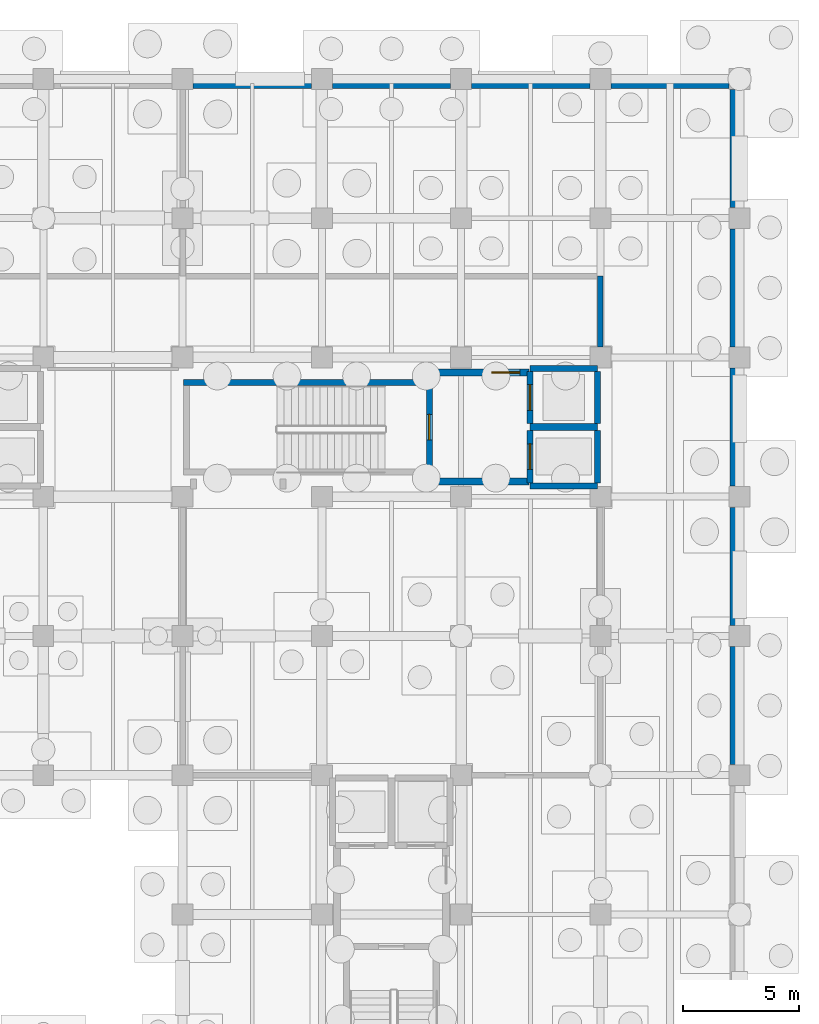
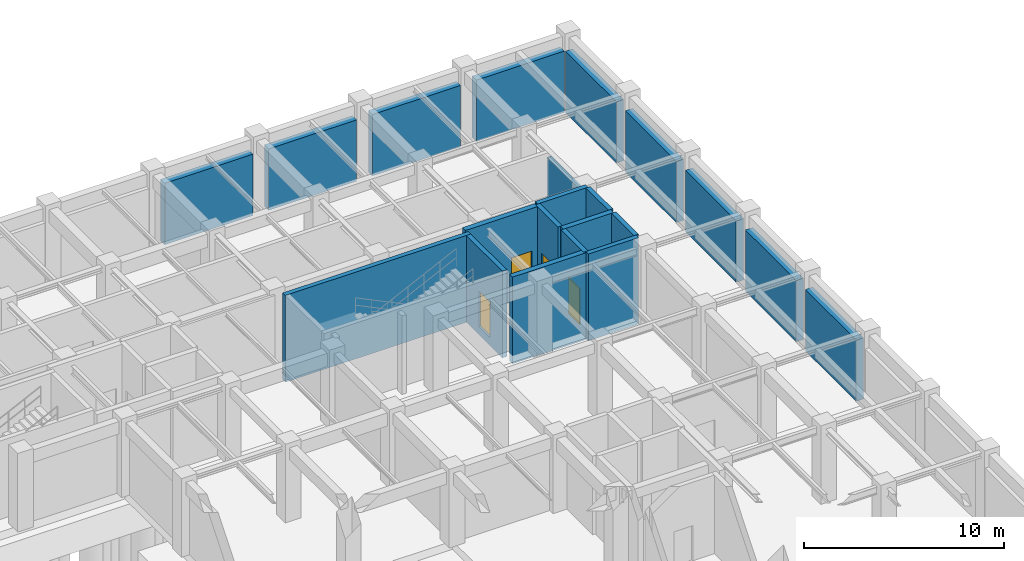
# One storey, part 45 of 54: 21 walls, 4 doors, 4 openings.
"""IFC4 building model written with IfcOpenShell, lengths in metres."""

from ifc_helpers import new_model, si_unit, direction, frame, frame_2d, origin, place, context, subcontext, project, spatial, rectangle, extrude, material, layer, layer_set, type_object, element, fill, save


model = new_model("IFC4")

# Units and contexts
model_context = context("Model", 3, precision=1e-05, world=origin(), true_north=direction((0.0, 1.0)))
body_context = subcontext(model_context, "Body", "Model", "MODEL_VIEW")
ifc_project = project(units=[si_unit("LENGTHUNIT", "METRE"), si_unit("AREAUNIT", "SQUARE_METRE"), si_unit("VOLUMEUNIT", "CUBIC_METRE"), si_unit("PLANEANGLEUNIT", "RADIAN"), si_unit("MASSUNIT", "GRAM", prefix="KILO"), si_unit("THERMODYNAMICTEMPERATUREUNIT", "KELVIN"), si_unit("POWERUNIT", "WATT")], contexts=[model_context])

# Site, building, storey
site_placement = place(None, origin())
site = spatial("IfcSite", under=ifc_project, at=site_placement, CompositionType="ELEMENT")
building_placement = place(site_placement, origin())
building = spatial("IfcBuilding", under=site, at=building_placement, Name="Phaisarnlok Congress Hotel", CompositionType="ELEMENT")
storey_placement = place(building_placement, frame((0.0, 0.0, -4.800048828125)))
storey = spatial("IfcBuildingStorey", under=building, at=storey_placement, Name="B01", CompositionType="ELEMENT", Elevation=-4.800048828125)

# Walls
ifc_material_1 = material(Name="Concrete C40/50", Category="concrete")
ifc_layer_1 = layer(ifc_material_1, 0.419921875, Name="Concrete C40/50")
ifc_layer_set_1 = layer_set([ifc_layer_1], Name="Concrete C40/50")
wall_type_1 = type_object("IfcWallType", Name="WL-EXT-420", PredefinedType="SOLIDWALL", material=ifc_layer_set_1)
for number, where, z_axis, x_axis, name in (
    (1, (179.7900390625, 96.455078125, 0.0), (0.0, 0.0, 1.0), (0.0, 1.0, 0.0), "Exterior wall EW-08 (B01)"),
    (2, (179.7900390625, 102.455078125, 0.0), (0.0, 0.0, 1.0), (0.0, 1.0, 0.0), "Exterior wall EW-08 (B01)"),
    (3, (179.7900390625, 108.455078125, 0.0), (0.0, 0.0, 1.0), (0.0, 1.0, 0.0), "Exterior wall EW-08 (B01)"),
    (4, (179.7900390625, 114.455078125, 0.0), (0.0, 0.0, 1.0), (0.0, 1.0, 0.0), "Exterior wall EW-08 (B01)"),
    (5, (179.7900390625, 120.455078125, 0.0), (0.0, 0.0, 1.0), (0.0, 1.0, 0.0), "Exterior wall EW-08 (B01)"),
    (6, (179.544921875, 125.7900390625, 0.0), (0.0, 0.0, 1.0), (-1.0, 0.0, 0.0), "Exterior wall EW-08 (B01)"),
    (7, (173.544921875, 125.7900390625, 0.0), (0.0, 0.0, 1.0), (-1.0, 0.0, 0.0), "Exterior wall EW-08 (B01)"),
    (8, (167.544921875, 125.7900390625, 0.0), (0.0, 0.0, 1.0), (-1.0, 0.0, 0.0), "Exterior wall EW-08 (B01)"),
    (9, (161.544921875, 125.7900390625, 0.0), (0.0, 0.0, 1.0), (-1.0, 0.0, 0.0), "Exterior wall EW-08 (B01)"),
):
    element("IfcWall", number, at=place(storey_placement, frame(where, z_axis=z_axis, x_axis=x_axis)), inside=storey, type_object=wall_type_1, Name=name, PredefinedType="SOLIDWALL", context=body_context, shape_type="SweptSolid", body=[
        extrude(rectangle(XDim=5.08984375, YDim=0.419921875, at=frame_2d((2.544921875, 0.0))), origin(), (0.0, 0.0, 1.0), 3.75),
    ])
ifc_layer_2 = layer(ifc_material_1, 0.239990234375, Name="Concrete C40/50")
ifc_layer_set_2 = layer_set([ifc_layer_2], Name="Concrete C40/50")
wall_type_2 = type_object("IfcWallType", Name="WL-INT-240", PredefinedType="PARTITIONING", material=ifc_layer_set_2)
wall_1_placement = place(storey_placement, frame((174.0, 114.455078125, 0.0), z_axis=(0.0, 0.0, 1.0), x_axis=(0.0, 1.0, 0.0)))
element("IfcWall", 10, at=wall_1_placement, inside=storey, type_object=wall_type_2, Name="Interior partition wall IW-01 (B01)", PredefinedType="PARTITIONING", context=body_context, shape_type="SweptSolid", body=[
    extrude(rectangle(XDim=3.044921875, YDim=0.239990234375, at=frame_2d((1.5224609375, 0.0))), origin(), (0.0, 0.0, 1.0), 4.16015625),
])
ifc_material_2 = material(Name="Concrete C50/60", Category="concrete")
ifc_layer_3 = layer(ifc_material_2, 0.260009765625, Name="Concrete C50/60")
ifc_layer_set_3 = layer_set([ifc_layer_3], Name="Concrete C50/60")
wall_type_3 = type_object("IfcWallType", Name="WL-SHR-260", PredefinedType="SHEAR", material=ifc_layer_set_3)
wall_2_placement = place(storey_placement, frame((156.0400390625, 112.929931640625, -0.5), z_axis=(0.0, 0.0, 1.0), x_axis=(1.0, 0.0, 0.0)))
element("IfcWall", 11, at=wall_2_placement, inside=storey, type_object=wall_type_3, Name="Stair shaft shear wall SW-04 (CORE-1 B01)", PredefinedType="SHEAR", context=body_context, shape_type="SweptSolid", body=[
    extrude(rectangle(XDim=10.719970703125, YDim=0.260009765625, at=frame_2d((5.35986328125, 0.0))), origin(), (0.0, 0.0, 1.0), 5.300048828125),
])

# Wall, opening, door
wall_3_placement = place(storey_placement, frame((166.6298828125, 109.199951171875, -0.5), z_axis=(0.0, 0.0, 1.0), x_axis=(0.0, 1.0, 0.0)))
wall_3 = element("IfcWall", 12, at=wall_3_placement, inside=storey, type_object=wall_type_3, Name="Stair shaft shear wall SW-04 (CORE-1 B01)", PredefinedType="SHEAR", context=body_context, shape_type="SweptSolid", body=[
    extrude(rectangle(XDim=3.60009765625, YDim=0.260009765625, at=frame_2d((1.800048828125, 0.0))), origin(), (0.0, 0.0, 1.0), 5.300048828125),
])
opening_1_placement = place(wall_3_placement, frame((1.25, 0.0, 0.5)))
opening_1 = element("IfcOpeningElement", 13, at=opening_1_placement, cuts=wall_3, Name="Opening FD-001", PredefinedType="OPENING", context=body_context, shape_type="SweptSolid", body=[
    extrude(rectangle(XDim=1.10009765625, YDim=2.14990234375, at=frame_2d((0.550048828125, 1.074951171875))), frame((0.0, 0.14013671875, 0.0), z_axis=(0.0, -1.0, 0.0), x_axis=(1.0, 0.0, 0.0)), (0.0, 0.0, 1.0), 0.280029296875),
])
ifc_material_3 = material(Name="Fire-Rated Steel Frame & Timber Leaf", Category="steel")
door_type_1 = type_object("IfcDoorType", Name="DR-FD60-1100", OperationType="NOTDEFINED", PredefinedType="DOOR", material=ifc_material_3)
door_1_placement = place(opening_1_placement, origin())
door_1 = element("IfcDoor", 14, at=door_1_placement, inside=storey, type_object=door_type_1, Name="Stair enclosure fire door FD-001 (B01)", OperationType="SINGLE_SWING_RIGHT", OverallHeight=2.14990234375, OverallWidth=1.10009765625, PredefinedType="DOOR", context=body_context, shape_type="SweptSolid", body=[
    extrude(rectangle(XDim=1.10009765625, YDim=2.14990234375, at=frame_2d((0.550048828125, 1.074951171875))), frame((0.0, 0.02490234375, 0.0), z_axis=(0.0, -1.0, 0.0), x_axis=(1.0, 0.0, 0.0)), (0.0, 0.0, 1.0), 0.050048828125),
])
fill(opening_1, door_1)

# Walls
wall_4_placement = place(storey_placement, frame((170.969970703125, 108.469970703125, -0.5), z_axis=(0.0, 0.0, 1.0), x_axis=(1.0, 0.0, 0.0)))
element("IfcWall", 15, at=wall_4_placement, inside=storey, type_object=wall_type_3, Name="Lift shaft shear wall SW-04 (LF-FF1 B01)", PredefinedType="SHEAR", context=body_context, shape_type="SweptSolid", body=[
    extrude(rectangle(XDim=2.909912109375, YDim=0.260009765625, at=frame_2d((1.455078125, 0.0))), origin(), (0.0, 0.0, 1.0), 5.300048828125),
])
wall_5_placement = place(storey_placement, frame((173.8798828125, 108.60009765625, -0.5), z_axis=(0.0, 0.0, 1.0), x_axis=(0.0, 1.0, 0.0)))
element("IfcWall", 16, at=wall_5_placement, inside=storey, type_object=wall_type_3, Name="Lift shaft shear wall SW-04 (LF-FF1 B01)", PredefinedType="SHEAR", context=body_context, shape_type="SweptSolid", body=[
    extrude(rectangle(XDim=2.25, YDim=0.260009765625, at=frame_2d((1.125, 0.0))), origin(), (0.0, 0.0, 1.0), 5.300048828125),
])

# Wall, opening, door
wall_6_placement = place(storey_placement, frame((170.969970703125, 108.60009765625, -0.5), z_axis=(0.0, 0.0, 1.0), x_axis=(0.0, 1.0, 0.0)))
wall_6 = element("IfcWall", 17, at=wall_6_placement, inside=storey, type_object=wall_type_3, Name="Lift shaft front wall SW-04 (LF-FF1 B01)", PredefinedType="SHEAR", context=body_context, shape_type="SweptSolid", body=[
    extrude(rectangle(XDim=2.25, YDim=0.260009765625, at=frame_2d((1.125, 0.0))), origin(), (0.0, 0.0, 1.0), 5.300048828125),
])
opening_2_placement = place(wall_6_placement, frame((0.574951171875, 0.0, 0.5)))
opening_2 = element("IfcOpeningElement", 18, at=opening_2_placement, cuts=wall_6, Name="Opening LD-001", PredefinedType="OPENING", context=body_context, shape_type="SweptSolid", body=[
    extrude(rectangle(XDim=1.10009765625, YDim=2.199951171875, at=frame_2d((0.550048828125, 1.10009765625))), frame((0.0, 0.14013671875, 0.0), z_axis=(0.0, -1.0, 0.0), x_axis=(1.0, 0.0, 0.0)), (0.0, 0.0, 1.0), 0.280029296875),
])
ifc_material_4 = material(Name="Brushed Stainless Steel Grade 304", Category="steel")
door_type_2 = type_object("IfcDoorType", Name="DR-LD-1100", OperationType="DOUBLE_DOOR_SLIDING", PredefinedType="DOOR", material=ifc_material_4)
door_2_placement = place(opening_2_placement, origin())
door_2 = element("IfcDoor", 19, at=door_2_placement, inside=storey, type_object=door_type_2, Name="Lift landing sliding door LD-001 (LF-FF1 B01)", OperationType="DOUBLE_DOOR_SLIDING", OverallHeight=2.199951171875, OverallWidth=1.10009765625, PredefinedType="DOOR", context=body_context, shape_type="SweptSolid", body=[
    extrude(rectangle(XDim=1.10009765625, YDim=2.199951171875, at=frame_2d((0.550048828125, 1.10009765625))), frame((0.0, 0.02490234375, 0.0), z_axis=(0.0, -1.0, 0.0), x_axis=(1.0, 0.0, 0.0)), (0.0, 0.0, 1.0), 0.050048828125),
])
fill(opening_2, door_2)

# Walls
wall_7_placement = place(storey_placement, frame((170.969970703125, 113.530029296875, -0.5), z_axis=(0.0, 0.0, 1.0), x_axis=(1.0, 0.0, 0.0)))
element("IfcWall", 20, at=wall_7_placement, inside=storey, type_object=wall_type_3, Name="Lift shaft shear wall SW-04 (LF-HP1 B01)", PredefinedType="SHEAR", context=body_context, shape_type="SweptSolid", body=[
    extrude(rectangle(XDim=2.909912109375, YDim=0.260009765625, at=frame_2d((1.455078125, 0.0))), origin(), (0.0, 0.0, 1.0), 5.300048828125),
])
wall_8_placement = place(storey_placement, frame((173.8798828125, 111.14990234375, -0.5), z_axis=(0.0, 0.0, 1.0), x_axis=(0.0, 1.0, 0.0)))
element("IfcWall", 21, at=wall_8_placement, inside=storey, type_object=wall_type_3, Name="Lift shaft shear wall SW-04 (LF-HP1 B01)", PredefinedType="SHEAR", context=body_context, shape_type="SweptSolid", body=[
    extrude(rectangle(XDim=2.25, YDim=0.260009765625, at=frame_2d((1.125, 0.0))), origin(), (0.0, 0.0, 1.0), 5.300048828125),
])

# Wall, opening, door
wall_9_placement = place(storey_placement, frame((170.969970703125, 111.14990234375, -0.5), z_axis=(0.0, 0.0, 1.0), x_axis=(0.0, 1.0, 0.0)))
wall_9 = element("IfcWall", 22, at=wall_9_placement, inside=storey, type_object=wall_type_3, Name="Lift shaft front wall SW-04 (LF-HP1 B01)", PredefinedType="SHEAR", context=body_context, shape_type="SweptSolid", body=[
    extrude(rectangle(XDim=2.25, YDim=0.260009765625, at=frame_2d((1.125, 0.0))), origin(), (0.0, 0.0, 1.0), 5.300048828125),
])
opening_3_placement = place(wall_9_placement, frame((0.574951171875, 0.0, 0.5)))
opening_3 = element("IfcOpeningElement", 23, at=opening_3_placement, cuts=wall_9, Name="Opening LD-016", PredefinedType="OPENING", context=body_context, shape_type="SweptSolid", body=[
    extrude(rectangle(XDim=1.10009765625, YDim=2.199951171875, at=frame_2d((0.550048828125, 1.10009765625))), frame((0.0, 0.14013671875, 0.0), z_axis=(0.0, -1.0, 0.0), x_axis=(1.0, 0.0, 0.0)), (0.0, 0.0, 1.0), 0.280029296875),
])
door_3_placement = place(opening_3_placement, origin())
door_3 = element("IfcDoor", 24, at=door_3_placement, inside=storey, type_object=door_type_2, Name="Lift landing sliding door LD-016 (LF-HP1 B01)", OperationType="DOUBLE_DOOR_SLIDING", OverallHeight=2.199951171875, OverallWidth=1.10009765625, PredefinedType="DOOR", context=body_context, shape_type="SweptSolid", body=[
    extrude(rectangle(XDim=1.10009765625, YDim=2.199951171875, at=frame_2d((0.550048828125, 1.10009765625))), frame((0.0, 0.02490234375, 0.0), z_axis=(0.0, -1.0, 0.0), x_axis=(1.0, 0.0, 0.0)), (0.0, 0.0, 1.0), 0.050048828125),
])
fill(opening_3, door_3)

# Wall
ifc_layer_4 = layer(ifc_material_2, 0.300048828125, Name="Concrete C50/60")
ifc_layer_set_4 = layer_set([ifc_layer_4], Name="Concrete C50/60")
wall_type_4 = type_object("IfcWallType", Name="WL-SHR-300", PredefinedType="SHEAR", material=ifc_layer_set_4)
wall_10_placement = place(storey_placement, frame((170.969970703125, 111.0, -0.5), z_axis=(0.0, 0.0, 1.0), x_axis=(1.0, 0.0, 0.0)))
element("IfcWall", 25, at=wall_10_placement, inside=storey, type_object=wall_type_4, Name="Lift shaft divider shear wall SW-03 (LF-FF1 B01)", PredefinedType="SHEAR", context=body_context, shape_type="SweptSolid", body=[
    extrude(rectangle(XDim=2.909912109375, YDim=0.300048828125, at=frame_2d((1.455078125, 0.0))), origin(), (0.0, 0.0, 1.0), 5.300048828125),
])

# Wall, opening, door
wall_11_placement = place(storey_placement, frame((166.679931640625, 113.35009765625, -0.5), z_axis=(0.0, 0.0, 1.0), x_axis=(1.0, 0.0, 0.0)))
wall_11 = element("IfcWall", 26, at=wall_11_placement, inside=storey, type_object=wall_type_4, Name="Core lobby EI-120 wall SW-03 (CORE-1 B01)", PredefinedType="SHEAR", context=body_context, shape_type="SweptSolid", body=[
    extrude(rectangle(XDim=4.239990234375, YDim=0.300048828125, at=frame_2d((2.1201171875, 0.0))), origin(), (0.0, 0.0, 1.0), 5.300048828125),
])
opening_4_placement = place(wall_11_placement, frame((2.64990234375, 0.0, 0.5)))
opening_4 = element("IfcOpeningElement", 27, at=opening_4_placement, cuts=wall_11, Name="Opening FD-016", PredefinedType="OPENING", context=body_context, shape_type="SweptSolid", body=[
    extrude(rectangle(XDim=1.199951171875, YDim=2.199951171875, at=frame_2d((0.60009765625, 1.10009765625))), frame((0.0, 0.16015625, 0.0), z_axis=(0.0, -1.0, 0.0), x_axis=(1.0, 0.0, 0.0)), (0.0, 0.0, 1.0), 0.320068359375),
])
door_type_3 = type_object("IfcDoorType", Name="DR-FD60-1200", OperationType="NOTDEFINED", PredefinedType="DOOR", material=ifc_material_3)
door_4_placement = place(opening_4_placement, origin())
door_4 = element("IfcDoor", 28, at=door_4_placement, inside=storey, type_object=door_type_3, Name="Firefighting lobby entrance door FD-016 (CORE-1 B01)", OperationType="SINGLE_SWING_LEFT", OverallHeight=2.199951171875, OverallWidth=1.199951171875, PredefinedType="DOOR", context=body_context, shape_type="SweptSolid", body=[
    extrude(rectangle(XDim=1.199951171875, YDim=2.199951171875, at=frame_2d((0.60009765625, 1.10009765625))), frame((0.0, 0.02490234375, 0.0), z_axis=(0.0, -1.0, 0.0), x_axis=(1.0, 0.0, 0.0)), (0.0, 0.0, 1.0), 0.050048828125),
])
fill(opening_4, door_4)

# Wall
wall_12_placement = place(storey_placement, frame((166.679931640625, 108.64990234375, -0.5), z_axis=(0.0, 0.0, 1.0), x_axis=(1.0, 0.0, 0.0)))
element("IfcWall", 29, at=wall_12_placement, inside=storey, type_object=wall_type_4, Name="Core lobby EI-120 wall SW-03 (CORE-1 B01)", PredefinedType="SHEAR", context=body_context, shape_type="SweptSolid", body=[
    extrude(rectangle(XDim=4.239990234375, YDim=0.300048828125, at=frame_2d((2.1201171875, 0.0))), origin(), (0.0, 0.0, 1.0), 5.300048828125),
])

save(model, "model.ifc")
